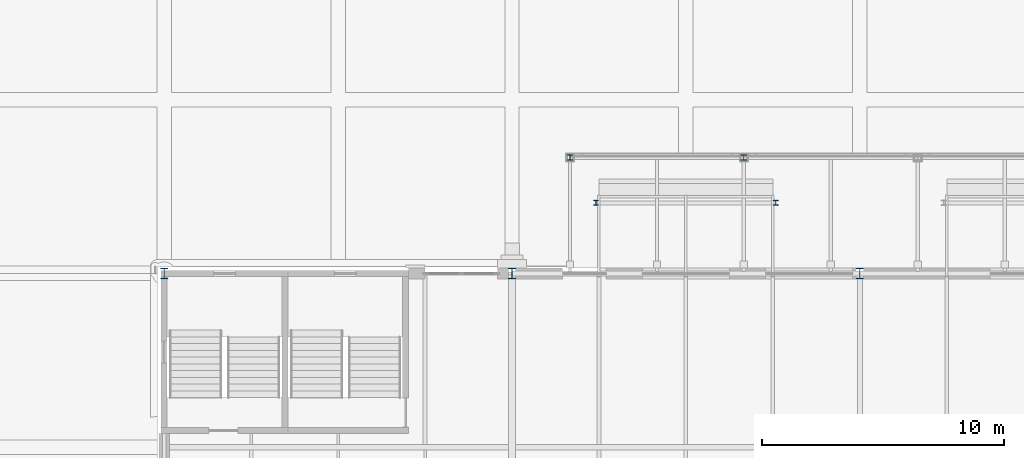
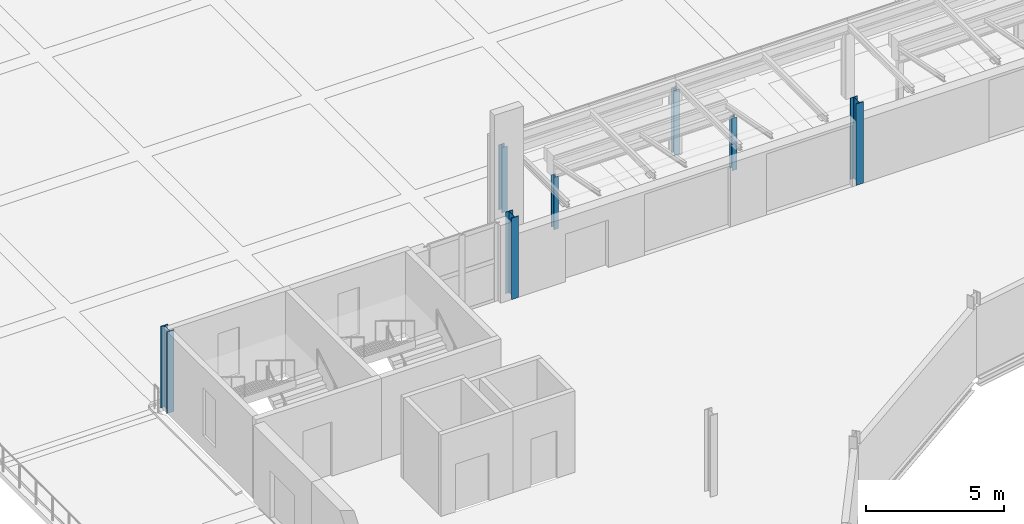
# One storey, part 9 of 143: 7 columns.
"""IFC4 building model written with IfcOpenShell, lengths in metres."""

from ifc_helpers import new_model, si_unit, direction, frame, origin, origin_2d, place, context, subcontext, project, spatial, i_section, extrude, material, material_profile, profile_set, type_object, element, save


model = new_model("IFC4")

# Units and contexts
model_context = context("Model", 3, precision=1e-05, world=origin(), true_north=direction((0.0, 1.0)))
body_context = subcontext(model_context, "Body", "Model", "MODEL_VIEW")
ifc_project = project(units=[si_unit("LENGTHUNIT", "METRE"), si_unit("AREAUNIT", "SQUARE_METRE"), si_unit("VOLUMEUNIT", "CUBIC_METRE"), si_unit("PLANEANGLEUNIT", "RADIAN"), si_unit("MASSUNIT", "GRAM", prefix="KILO")], contexts=[model_context])

# Site, building, storey
site_placement = place(None, origin())
site = spatial("IfcSite", under=ifc_project, at=site_placement, CompositionType="ELEMENT")
building_placement = place(site_placement, origin())
building = spatial("IfcBuilding", under=site, at=building_placement, Name="Kupolbacken Congress Centre", CompositionType="ELEMENT")
storey_placement = place(building_placement, frame((0.0, 0.0, 7.199951171875)))
storey = spatial("IfcBuildingStorey", under=building, at=storey_placement, Name="L02", CompositionType="ELEMENT", Elevation=7.199951171875)

# Columns
ifc_material_1 = material(Name="Steel S355", Category="steel")
ifc_material_profile_1 = material_profile(ifc_material_1, i_section(OverallWidth=0.300048828125, OverallDepth=0.449951171875, WebThickness=0.013916015625, FlangeThickness=0.02587890625, FilletRadius=0.027099609375, at=origin_2d()), Name="HEB 450")
ifc_profile_set_1 = profile_set([ifc_material_profile_1], Name="Steel S355")
column_type_1 = type_object("IfcColumnType", Name="C03 column HEB 450", PredefinedType="COLUMN", material=ifc_profile_set_1)
for number, where, z_axis, x_axis, name in (
    (1, (7.199951171875, 122.39990234375, 0.0), (0.0, 0.0, 1.0), (1.0, 0.0, 0.0), "S/col/C-P-2T/L02"),
    (2, (21.60009765625, 122.39990234375, 0.0), (0.0, 0.0, 1.0), (1.0, 0.0, 0.0), "S/col/C-P-4T/L02"),
    (3, (36.0, 122.39990234375, 0.0), (0.0, 0.0, 1.0), (1.0, 0.0, 0.0), "S/col/C-P-6T/L02"),
):
    element("IfcColumn", number, at=place(storey_placement, frame(where, z_axis=z_axis, x_axis=x_axis)), inside=storey, type_object=column_type_1, Name=name, PredefinedType="COLUMN", context=body_context, shape_type="SweptSolid", body=[
        extrude(i_section(OverallWidth=0.300048828125, OverallDepth=0.449951171875, WebThickness=0.013916015625, FlangeThickness=0.02587890625, FilletRadius=0.027099609375, at=origin_2d()), origin(), (0.0, 0.0, 1.0), 3.60009765625),
    ])
ifc_material_2 = material(Name="Steel S355", Category="steel")
ifc_material_profile_2 = material_profile(ifc_material_2, i_section(OverallWidth=0.239990234375, OverallDepth=0.22998046875, WebThickness=0.007568359375, FlangeThickness=0.011962890625, FilletRadius=0.02099609375, at=origin_2d()), Name="HEA 240")
ifc_profile_set_2 = profile_set([ifc_material_profile_2], Name="Steel S355")
column_type_2 = type_object("IfcColumnType", Name="C10 column HEA 240", PredefinedType="COLUMN", material=ifc_profile_set_2)
for number, where, z_axis, x_axis, name in (
    (4, (24.0, 127.199951171875, 0.0), (0.0, 0.0, 1.0), (1.0, 0.0, 0.0), "E/T/portico/P/col24/L02"),
    (5, (31.199951171875, 127.199951171875, 0.0), (0.0, 0.0, 1.0), (1.0, 0.0, 0.0), "E/T/portico/P/col31.2/L02"),
):
    element("IfcColumn", number, at=place(storey_placement, frame(where, z_axis=z_axis, x_axis=x_axis)), inside=storey, type_object=column_type_2, Name=name, PredefinedType="COLUMN", context=body_context, shape_type="SweptSolid", body=[
        extrude(i_section(OverallWidth=0.239990234375, OverallDepth=0.22998046875, WebThickness=0.007568359375, FlangeThickness=0.011962890625, FilletRadius=0.02099609375, at=origin_2d()), origin(), (0.0, 0.0, 1.0), 2.880126953125),
    ])
ifc_material_3 = material(Name="Steel S355", Category="steel")
ifc_material_profile_3 = material_profile(ifc_material_3, i_section(OverallWidth=0.199951171875, OverallDepth=0.199951171875, WebThickness=0.009033203125, FlangeThickness=0.014892578125, FilletRadius=0.01806640625, at=origin_2d()), Name="HEB 200")
ifc_profile_set_3 = profile_set([ifc_material_profile_3], Name="Steel S355")
column_type_3 = type_object("IfcColumnType", Name="C11 column HEB 200", PredefinedType="COLUMN", material=ifc_profile_set_3)
for number, where, z_axis, x_axis, name in (
    (6, (32.52001953125, 125.320068359375, 0.0), (0.0, 0.0, 1.0), (1.0, 0.0, 0.0), "E/canopy/HEN1/col1/L02"),
    (7, (25.080078125, 125.320068359375, 0.0), (0.0, 0.0, 1.0), (1.0, 0.0, 0.0), "E/canopy/HEN1/col2/L02"),
):
    element("IfcColumn", number, at=place(storey_placement, frame(where, z_axis=z_axis, x_axis=x_axis)), inside=storey, type_object=column_type_3, Name=name, PredefinedType="COLUMN", context=body_context, shape_type="SweptSolid", body=[
        extrude(i_section(OverallWidth=0.199951171875, OverallDepth=0.199951171875, WebThickness=0.009033203125, FlangeThickness=0.014892578125, FilletRadius=0.01806640625, at=origin_2d()), origin(), (0.0, 0.0, 1.0), 2.30810546875),
    ])

save(model, "model.ifc")
